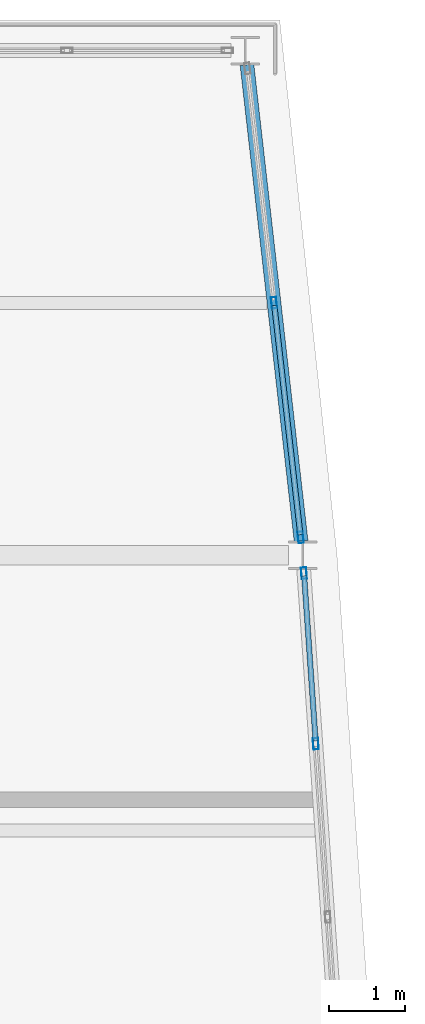
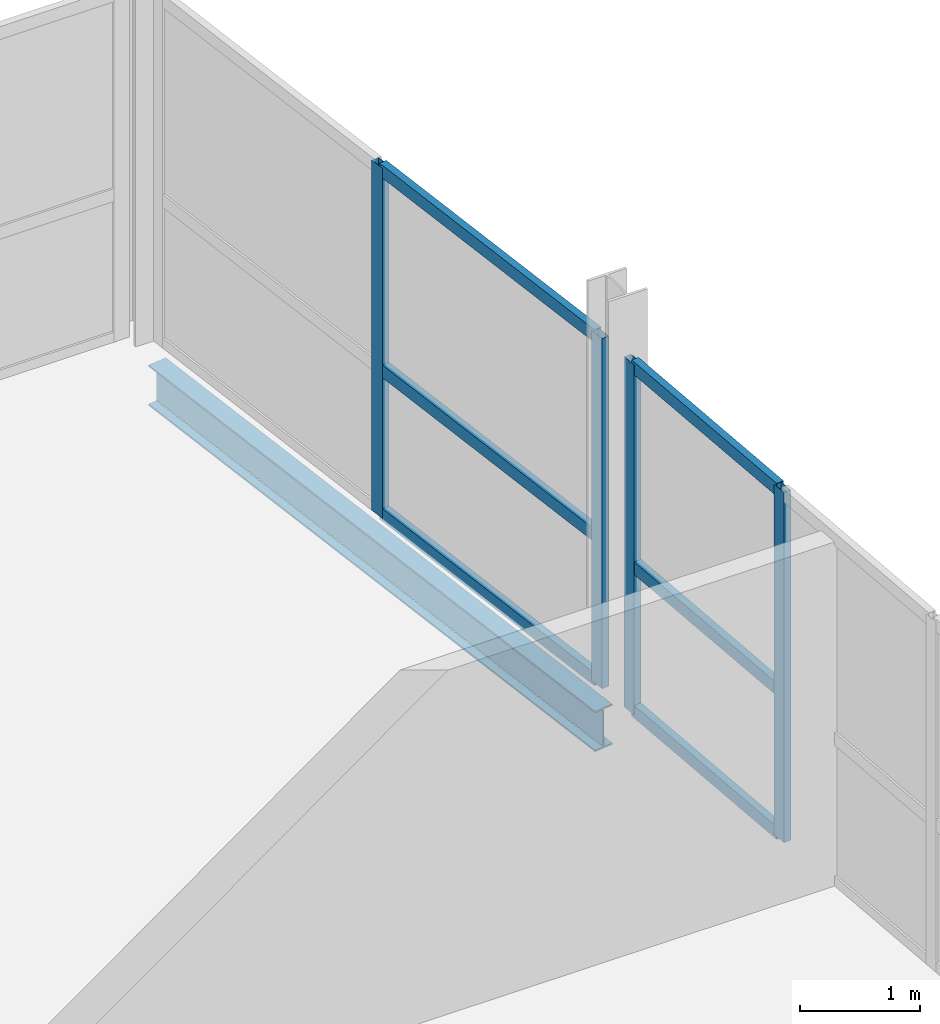
# One storey, part 10 of 20: 10 members, 1 beam, 2 elements without a shape of their own.
"""IFC4 building model written with IfcOpenShell, lengths in metres."""

from ifc_helpers import new_model, si_unit, direction, frame, origin, origin_2d, place, context, subcontext, project, spatial, hollow_rectangle, i_section, extrude, material, layer, layer_set, material_profile, profile_set, type_object, element, aggregate, save


model = new_model("IFC4")

# Units and contexts
model_context = context("Model", 3, precision=1e-05, world=origin(), true_north=direction((0.0, 1.0)))
body_context = subcontext(model_context, "Body", "Model", "MODEL_VIEW")
ifc_project = project(units=[si_unit("LENGTHUNIT", "METRE"), si_unit("AREAUNIT", "SQUARE_METRE"), si_unit("VOLUMEUNIT", "CUBIC_METRE"), si_unit("PLANEANGLEUNIT", "RADIAN"), si_unit("MASSUNIT", "GRAM", prefix="KILO")], contexts=[model_context])

# Site, building, storey
site_placement = place(None, origin())
site = spatial("IfcSite", under=ifc_project, at=site_placement, CompositionType="ELEMENT")
building_placement = place(site_placement, origin())
building = spatial("IfcBuilding", under=site, at=building_placement, Name="Quillay Park Conservatory", CompositionType="ELEMENT")
storey_placement = place(building_placement, frame((0.0, 0.0, 26.699951171875)))
storey = spatial("IfcBuildingStorey", under=building, at=storey_placement, Name="L06", CompositionType="ELEMENT", Elevation=26.699951171875)

# Curtain wall, members
ifc_material_1 = material(Name="Thermally Broken Anodised Aluminium 6063-T6", Category="aluminium")
ifc_layer = layer(ifc_material_1, 0.199951171875)
ifc_layer_set = layer_set([ifc_layer], Name="UNITISED CURTAIN WALL HERBARIUM (Thermally Broken Anodised Aluminium 6063-T6)")
curtain_wall_type = type_object("IfcCurtainWallType", Name="UNITISED CURTAIN WALL HERBARIUM", PredefinedType="USERDEFINED", material=ifc_layer_set)
curtain_wall_1_placement = place(storey_placement, origin())
curtain_wall_1 = element("IfcCurtainWall", 1, at=curtain_wall_1_placement, inside=storey, type_object=curtain_wall_type, Name="L06 Unitised Curtain Wall 063", ObjectType="UNITISED CURTAIN WALL", PredefinedType="USERDEFINED")
ifc_material_2 = material(Name="Thermally Broken Anodised Aluminium 6063-T6", Category="aluminium")
ifc_material_profile_1 = material_profile(ifc_material_2, hollow_rectangle(XDim=0.070068359375, YDim=0.14990234375, WallThickness=0.00341796875, at=origin_2d()), Name="AL70x150x3.5")
ifc_profile_set_1 = profile_set([ifc_material_profile_1], Name="Thermally Broken Anodised Aluminium 6063-T6")
member_type_1 = type_object("IfcMemberType", Name="CURTAIN WALL MULLION 70 X150", PredefinedType="MULLION", material=ifc_profile_set_1)
member_1_placement = place(storey_placement, frame((27.31640625, 106.565673828125, 0.0), z_axis=(0.0, 0.0, 1.0), x_axis=(0.99759835015, 0.069264217159, 0.0)))
member_1 = element("IfcMember", 2, at=member_1_placement, type_object=member_type_1, Name="CW-T2 mullion 1", PredefinedType="MULLION", context=body_context, shape_type="SweptSolid", body=[
    extrude(hollow_rectangle(XDim=0.070068359375, YDim=0.14990234375, WallThickness=0.00341796875, at=origin_2d()), origin(), (0.0, 0.0, 1.0), 3.569091796875),
])
member_2_placement = place(storey_placement, frame((27.47119140625, 104.33349609375, 0.0), z_axis=(0.0, 0.0, 1.0), x_axis=(0.99759835015, 0.069264217159, 0.0)))
member_2 = element("IfcMember", 3, at=member_2_placement, type_object=member_type_1, Name="CW-T2 mullion 2", PredefinedType="MULLION", context=body_context, shape_type="SweptSolid", body=[
    extrude(hollow_rectangle(XDim=0.070068359375, YDim=0.14990234375, WallThickness=0.00341796875, at=origin_2d()), origin(), (0.0, 0.0, 1.0), 3.569091796875),
])

curtain_wall_2_placement = place(storey_placement, origin())
curtain_wall_2 = element("IfcCurtainWall", 4, at=curtain_wall_2_placement, inside=storey, type_object=curtain_wall_type, Name="L06 Unitised Curtain Wall 064", ObjectType="UNITISED CURTAIN WALL", PredefinedType="USERDEFINED")
member_3_placement = place(storey_placement, frame((26.925048828125, 110.10009765625, 0.0), z_axis=(0.0, 0.0, 1.0), x_axis=(0.993605989969, 0.112903218278, 0.0)))
member_3 = element("IfcMember", 5, at=member_3_placement, type_object=member_type_1, Name="CW-T2 mullion 2", PredefinedType="MULLION", context=body_context, shape_type="SweptSolid", body=[
    extrude(hollow_rectangle(XDim=0.070068359375, YDim=0.14990234375, WallThickness=0.00341796875, at=origin_2d()), origin(), (0.0, 0.0, 1.0), 3.569091796875),
])
member_4_placement = place(storey_placement, frame((27.2734375, 107.033447265625, 0.0), z_axis=(0.0, 0.0, 1.0), x_axis=(0.993605989969, 0.112903218278, 0.0)))
member_4 = element("IfcMember", 6, at=member_4_placement, type_object=member_type_1, Name="CW-T2 mullion 3", PredefinedType="MULLION", context=body_context, shape_type="SweptSolid", body=[
    extrude(hollow_rectangle(XDim=0.070068359375, YDim=0.14990234375, WallThickness=0.00341796875, at=origin_2d()), origin(), (0.0, 0.0, 1.0), 3.569091796875),
])

# Member
ifc_material_3 = material(Name="Thermally Broken Anodised Aluminium 6063-T6", Category="aluminium")
ifc_material_profile_2 = material_profile(ifc_material_3, hollow_rectangle(XDim=0.070068359375, YDim=0.1298828125, WallThickness=0.003173828125, at=origin_2d()), Name="AL70x130x3.2")
ifc_profile_set_2 = profile_set([ifc_material_profile_2], Name="Thermally Broken Anodised Aluminium 6063-T6")
member_type_2 = type_object("IfcMemberType", Name="CURTAIN WALL TRANSOM 70 X130", PredefinedType="USERDEFINED", material=ifc_profile_set_2)
member_5_placement = place(storey_placement, frame((27.31884765625, 106.53076171875, 0.03515625), z_axis=(0.069269814421, -0.997597961511, 0.0), x_axis=(0.997597961511, 0.069269814421, 0.0)))
member_5 = element("IfcMember", 7, at=member_5_placement, type_object=member_type_2, Name="CW-T2 transom 1.1", ObjectType="TRANSOM", PredefinedType="USERDEFINED", context=body_context, shape_type="SweptSolid", body=[
    extrude(hollow_rectangle(XDim=0.070068359375, YDim=0.1298828125, WallThickness=0.003173828125, at=origin_2d()), origin(), (0.0, 0.0, 1.0), 2.16748046875),
])

member_6_placement = place(storey_placement, frame((27.31884765625, 106.53076171875, 1.4990234375), z_axis=(0.069269814421, -0.997597961511, 0.0), x_axis=(0.997597961511, 0.069269814421, 0.0)))
member_6 = element("IfcMember", 8, at=member_6_placement, type_object=member_type_2, Name="CW-T2 transom 1.2", ObjectType="TRANSOM", PredefinedType="USERDEFINED", context=body_context, shape_type="SweptSolid", body=[
    extrude(hollow_rectangle(XDim=0.070068359375, YDim=0.1298828125, WallThickness=0.003173828125, at=origin_2d()), origin(), (0.0, 0.0, 1.0), 2.16748046875),
])

member_7_placement = place(storey_placement, frame((27.31884765625, 106.53076171875, 3.533935546875), z_axis=(0.069269814421, -0.997597961511, 0.0), x_axis=(0.997597961511, 0.069269814421, 0.0)))
member_7 = element("IfcMember", 9, at=member_7_placement, type_object=member_type_2, Name="CW-T2 transom 1.3", ObjectType="TRANSOM", PredefinedType="USERDEFINED", context=body_context, shape_type="SweptSolid", body=[
    extrude(hollow_rectangle(XDim=0.070068359375, YDim=0.1298828125, WallThickness=0.003173828125, at=origin_2d()), origin(), (0.0, 0.0, 1.0), 2.16748046875),
])

aggregate(curtain_wall_1, [member_1, member_2, member_5, member_6, member_7])

member_8_placement = place(storey_placement, frame((26.928955078125, 110.065185546875, 0.03515625), z_axis=(0.112918769109, -0.993604222808, 0.0), x_axis=(0.993604222808, 0.112918769109, 0.0)))
member_8 = element("IfcMember", 10, at=member_8_placement, type_object=member_type_2, Name="CW-T2 transom 2.1", ObjectType="TRANSOM", PredefinedType="USERDEFINED", context=body_context, shape_type="SweptSolid", body=[
    extrude(hollow_rectangle(XDim=0.070068359375, YDim=0.1298828125, WallThickness=0.003173828125, at=origin_2d()), origin(), (0.0, 0.0, 1.0), 3.01611328125),
])

member_9_placement = place(storey_placement, frame((26.928955078125, 110.065185546875, 1.4990234375), z_axis=(0.112918769109, -0.993604222808, 0.0), x_axis=(0.993604222808, 0.112918769109, 0.0)))
member_9 = element("IfcMember", 11, at=member_9_placement, type_object=member_type_2, Name="CW-T2 transom 2.2", ObjectType="TRANSOM", PredefinedType="USERDEFINED", context=body_context, shape_type="SweptSolid", body=[
    extrude(hollow_rectangle(XDim=0.070068359375, YDim=0.1298828125, WallThickness=0.003173828125, at=origin_2d()), origin(), (0.0, 0.0, 1.0), 3.01611328125),
])

member_10_placement = place(storey_placement, frame((26.928955078125, 110.065185546875, 3.533935546875), z_axis=(0.112918769109, -0.993604222808, 0.0), x_axis=(0.993604222808, 0.112918769109, 0.0)))
member_10 = element("IfcMember", 12, at=member_10_placement, type_object=member_type_2, Name="CW-T2 transom 2.3", ObjectType="TRANSOM", PredefinedType="USERDEFINED", context=body_context, shape_type="SweptSolid", body=[
    extrude(hollow_rectangle(XDim=0.070068359375, YDim=0.1298828125, WallThickness=0.003173828125, at=origin_2d()), origin(), (0.0, 0.0, 1.0), 3.01611328125),
])

aggregate(curtain_wall_2, [member_3, member_4, member_8, member_9, member_10])

# Beam
ifc_material_4 = material(Name="Steel ASTM A992 Grade 50", Category="steel")
ifc_material_profile_3 = material_profile(ifc_material_4, i_section(OverallWidth=0.179931640625, OverallDepth=0.4130859375, WebThickness=0.009765625, FlangeThickness=0.01611328125, FilletRadius=0.011962890625, at=origin_2d()), Name="W410x74")
ifc_profile_set_3 = profile_set([ifc_material_profile_3], Name="Steel ASTM A992 Grade 50")
beam_type = type_object("IfcBeamType", Name="PERIMETER SPANDREL BEAM W410 X74", PredefinedType="SPANDREL", material=ifc_profile_set_3)
beam_placement = place(storey_placement, frame((27.279052734375, 106.98486328125, -0.426513671875), z_axis=(-0.112914056169, 0.993604758402, 0.0), x_axis=(-0.993604758402, -0.112914056169, 0.0)))
element("IfcBeam", 13, at=beam_placement, inside=storey, type_object=beam_type, Name="L06 beam BM-SPE-0510", PredefinedType="SPANDREL", context=body_context, shape_type="SweptSolid", body=[
    extrude(i_section(OverallWidth=0.179931640625, OverallDepth=0.4130859375, WebThickness=0.009765625, FlangeThickness=0.01611328125, FilletRadius=0.011962890625, at=origin_2d()), origin(), (0.0, 0.0, 1.0), 6.270263671875),
])

save(model, "model.ifc")
